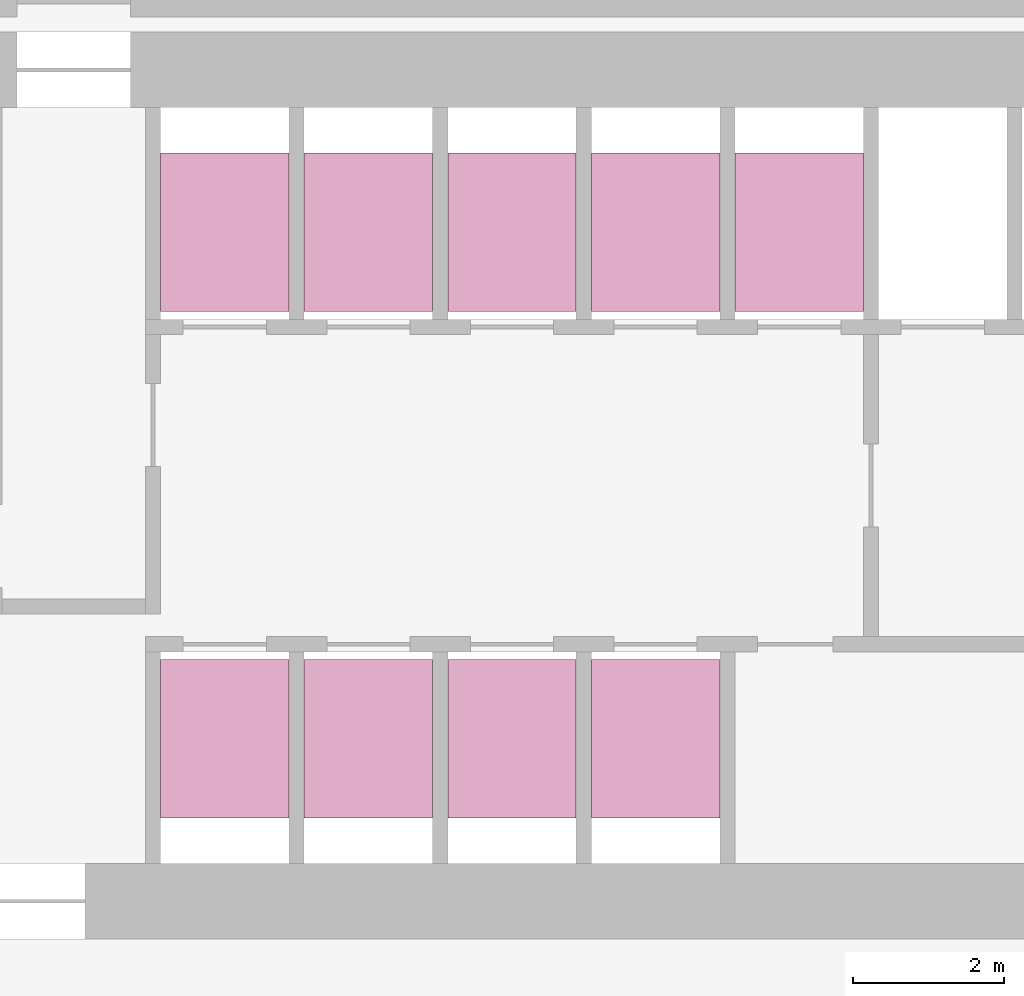
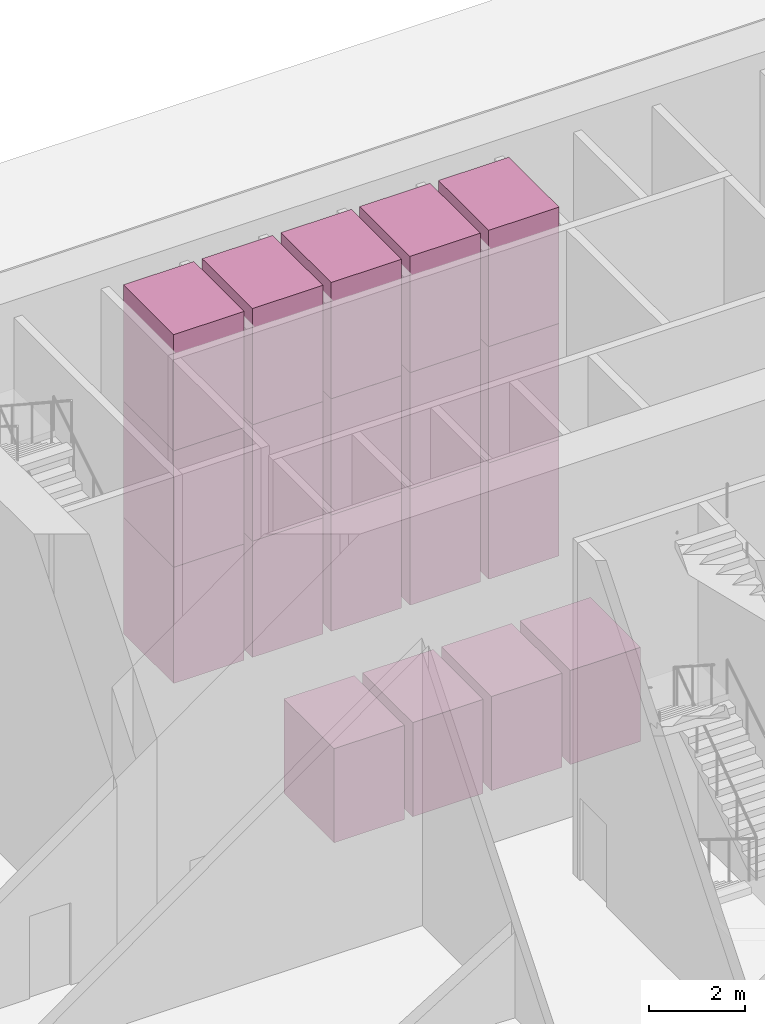
# One storey, part 21 of 21: 19 transport elements.
"""IFC4 building model written with IfcOpenShell, lengths in metres."""

from ifc_helpers import new_model, si_unit, direction, frame, origin, origin_2d, place, context, subcontext, project, spatial, rectangle, extrude, material, type_object, element, save


model = new_model("IFC4")

# Units and contexts
model_context = context("Model", 3, precision=1e-05, world=origin(), true_north=direction((0.0, 1.0)))
body_context = subcontext(model_context, "Body", "Model", "MODEL_VIEW")
ifc_project = project(units=[si_unit("LENGTHUNIT", "METRE"), si_unit("AREAUNIT", "SQUARE_METRE"), si_unit("VOLUMEUNIT", "CUBIC_METRE"), si_unit("PLANEANGLEUNIT", "RADIAN"), si_unit("MASSUNIT", "GRAM", prefix="KILO")], contexts=[model_context])

# Site, building, storey
site_placement = place(None, origin())
site = spatial("IfcSite", under=ifc_project, at=site_placement, CompositionType="ELEMENT")
building_placement = place(site_placement, origin())
building = spatial("IfcBuilding", under=site, at=building_placement, Name="Altiplano Prism Tower", CompositionType="ELEMENT")
storey_placement = place(building_placement, origin())
storey = spatial("IfcBuildingStorey", under=building, at=storey_placement, Name="L00", CompositionType="ELEMENT", Elevation=0.0)

# Transport elements
ifc_material = material(Name="Stainless steel lift car", Category="steel")
transport_element_type_1 = type_object("IfcTransportElementType", Name="Passenger lift car 1600 x 2100", PredefinedType="ELEVATOR", material=ifc_material)
for number, where, z_axis, x_axis, name in (
    (1, (79.050048828125, 101.75, 0.05029296875), (0.0, 0.0, 1.0), (1.0, 0.0, 0.0), "Low Zone Passenger Lift 1"),
    (2, (79.050048828125, 101.75, 3.0166015625), (0.0, 0.0, 1.0), (1.0, 0.0, 0.0), "Low Zone Passenger Lift 1"),
    (3, (79.050048828125, 101.75, 5.9833984375), (0.0, 0.0, 1.0), (1.0, 0.0, 0.0), "Low Zone Passenger Lift 1"),
    (4, (80.949951171875, 101.75, 0.05029296875), (0.0, 0.0, 1.0), (1.0, 0.0, 0.0), "Low Zone Passenger Lift 2"),
    (5, (80.949951171875, 101.75, 3.0166015625), (0.0, 0.0, 1.0), (1.0, 0.0, 0.0), "Low Zone Passenger Lift 2"),
    (6, (80.949951171875, 101.75, 5.9833984375), (0.0, 0.0, 1.0), (1.0, 0.0, 0.0), "Low Zone Passenger Lift 2"),
    (7, (82.85009765625, 101.75, 0.05029296875), (0.0, 0.0, 1.0), (1.0, 0.0, 0.0), "Low Zone Passenger Lift 3"),
    (8, (82.85009765625, 101.75, 3.0166015625), (0.0, 0.0, 1.0), (1.0, 0.0, 0.0), "Low Zone Passenger Lift 3"),
    (9, (82.85009765625, 101.75, 5.9833984375), (0.0, 0.0, 1.0), (1.0, 0.0, 0.0), "Low Zone Passenger Lift 3"),
    (10, (84.75, 101.75, 0.05029296875), (0.0, 0.0, 1.0), (1.0, 0.0, 0.0), "Low Zone Passenger Lift 4"),
    (11, (84.75, 101.75, 3.0166015625), (0.0, 0.0, 1.0), (1.0, 0.0, 0.0), "Low Zone Passenger Lift 4"),
    (12, (84.75, 101.75, 5.9833984375), (0.0, 0.0, 1.0), (1.0, 0.0, 0.0), "Low Zone Passenger Lift 4"),
    (13, (86.64990234375, 101.75, 0.05029296875), (0.0, 0.0, 1.0), (1.0, 0.0, 0.0), "Low Zone Passenger Lift 5"),
    (14, (86.64990234375, 101.75, 3.0166015625), (0.0, 0.0, 1.0), (1.0, 0.0, 0.0), "Low Zone Passenger Lift 5"),
    (15, (86.64990234375, 101.75, 5.9833984375), (0.0, 0.0, 1.0), (1.0, 0.0, 0.0), "Low Zone Passenger Lift 5"),
):
    element("IfcTransportElement", number, at=place(storey_placement, frame(where, z_axis=z_axis, x_axis=x_axis)), inside=storey, type_object=transport_element_type_1, Name=name, PredefinedType="ELEVATOR", context=body_context, shape_type="SweptSolid", body=[
        extrude(rectangle(XDim=1.699951171875, YDim=2.10009765625, at=origin_2d()), origin(), (0.0, 0.0, 1.0), 2.966552734375),
    ])
transport_element_type_2 = type_object("IfcTransportElementType", Name="Shuttle lift car 1600 x 2100", PredefinedType="ELEVATOR", material=ifc_material)
for number, where, z_axis, x_axis, name in (
    (16, (79.050048828125, 95.050048828125, 0.050048828125), (0.0, 0.0, 1.0), (1.0, 0.0, 0.0), "Shuttle Lift 1 to Sky Lobby 1"),
    (17, (80.949951171875, 95.050048828125, 0.050048828125), (0.0, 0.0, 1.0), (1.0, 0.0, 0.0), "Shuttle Lift 2 to Sky Lobby 1"),
    (18, (82.85009765625, 95.050048828125, 0.050048828125), (0.0, 0.0, 1.0), (1.0, 0.0, 0.0), "Shuttle Lift 3 to Sky Lobby 2"),
    (19, (84.75, 95.050048828125, 0.050048828125), (0.0, 0.0, 1.0), (1.0, 0.0, 0.0), "Shuttle Lift 4 to Sky Lobby 2"),
):
    element("IfcTransportElement", number, at=place(storey_placement, frame(where, z_axis=z_axis, x_axis=x_axis)), inside=storey, type_object=transport_element_type_2, Name=name, PredefinedType="ELEVATOR", context=body_context, shape_type="SweptSolid", body=[
        extrude(rectangle(XDim=1.699951171875, YDim=2.10009765625, at=origin_2d()), origin(), (0.0, 0.0, 1.0), 2.39990234375),
    ])

save(model, "model.ifc")
